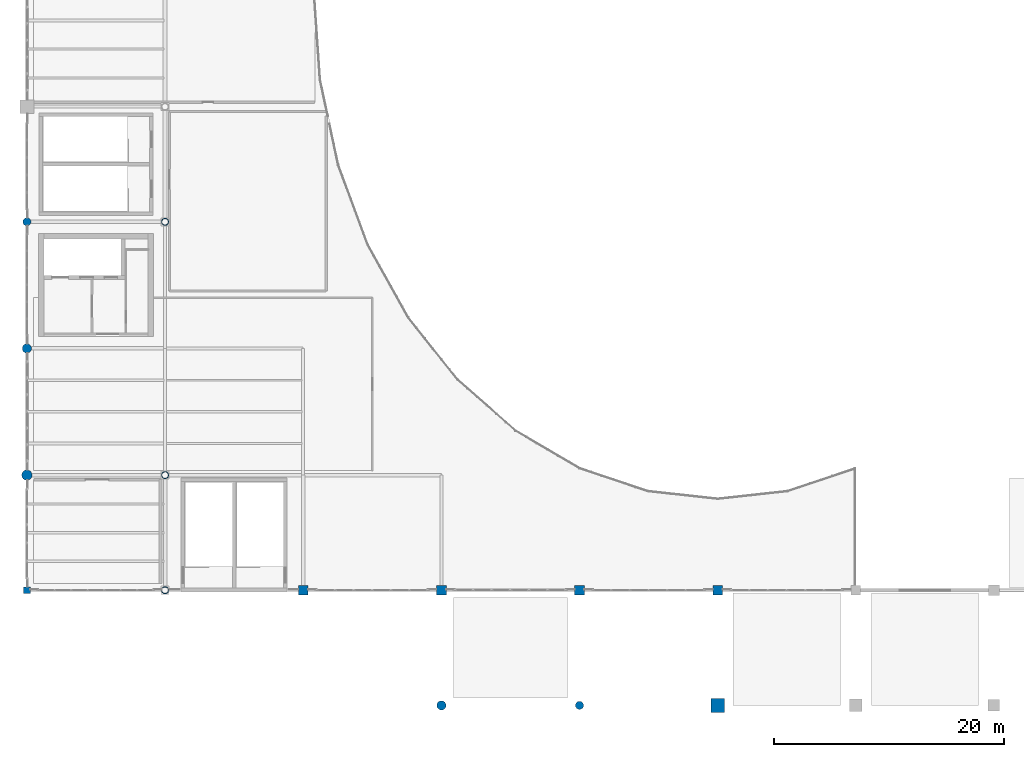
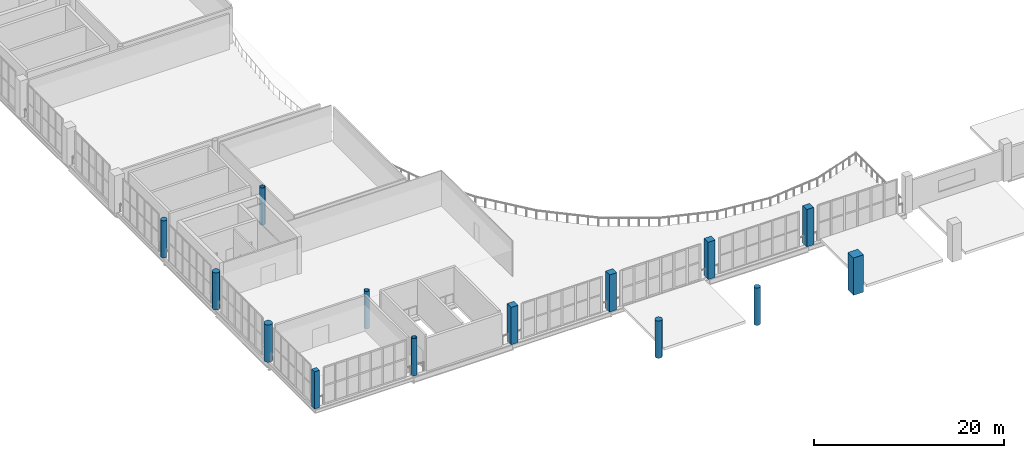
# One storey, part 1 of 49: 14 columns.
"""IFC4 building model written with IfcOpenShell, lengths in metres."""

from ifc_helpers import new_model, si_unit, direction, frame, origin, origin_2d, place, context, subcontext, project, spatial, rectangle, circle, hollow_circle, extrude, material, material_profile, profile_set, type_object, element, save


model = new_model("IFC4")

# Units and contexts
model_context = context("Model", 3, precision=1e-05, world=origin(), true_north=direction((0.0, 1.0)))
body_context = subcontext(model_context, "Body", "Model", "MODEL_VIEW")
ifc_project = project(units=[si_unit("LENGTHUNIT", "METRE"), si_unit("AREAUNIT", "SQUARE_METRE"), si_unit("VOLUMEUNIT", "CUBIC_METRE"), si_unit("PLANEANGLEUNIT", "RADIAN"), si_unit("MASSUNIT", "GRAM", prefix="KILO")], contexts=[model_context])

# Site, building, storey
site_placement = place(None, origin())
site = spatial("IfcSite", under=ifc_project, at=site_placement, CompositionType="ELEMENT")
building_placement = place(site_placement, origin())
building = spatial("IfcBuilding", under=site, at=building_placement, Name="Brinegate Civic Arena", CompositionType="ELEMENT")
storey_placement = place(building_placement, frame((0.0, 0.0, 24.60009765625)))
storey = spatial("IfcBuildingStorey", under=building, at=storey_placement, Name="L05", CompositionType="ELEMENT", Elevation=24.60009765625)

# Columns
ifc_material_1 = material(Name="Concrete C50/60", Category="concrete")
ifc_material_profile_1 = material_profile(ifc_material_1, rectangle(XDim=1.199951171875, YDim=1.199951171875, at=origin_2d()), Name="RC1200X1200")
ifc_profile_set_1 = profile_set([ifc_material_profile_1], Name="Concrete C50/60")
column_type_1 = type_object("IfcColumnType", Name="COL-CC01-1200", PredefinedType="COLUMN", material=ifc_profile_set_1)
column_1_placement = place(storey_placement, frame((108.0, 0.0, 0.0), z_axis=(0.0, 0.0, 1.0), x_axis=(1.0, 0.0, 0.0)))
element("IfcColumn", 1, at=column_1_placement, inside=storey, type_object=column_type_1, Name="Column COL-L05-10-A", PredefinedType="COLUMN", context=body_context, shape_type="SweptSolid", body=[
    extrude(rectangle(XDim=1.199951171875, YDim=1.199951171875, at=origin_2d()), origin(), (0.0, 0.0, 1.0), 4.7998046875),
])
ifc_material_profile_2 = material_profile(ifc_material_1, rectangle(XDim=0.85009765625, YDim=0.85009765625, at=origin_2d()), Name="RC850X850")
ifc_profile_set_2 = profile_set([ifc_material_profile_2], Name="Concrete C50/60")
column_type_2 = type_object("IfcColumnType", Name="COL-CC06-850", PredefinedType="COLUMN", material=ifc_profile_set_2)
for number, where, z_axis, x_axis, name in (
    (2, (72.0, 10.0, 0.0), (0.0, 0.0, 1.0), (1.0, 0.0, 0.0), "Column COL-L05-7-B"),
    (3, (84.0, 10.0, 0.0), (0.0, 0.0, 1.0), (1.0, 0.0, 0.0), "Column COL-L05-8-B"),
    (4, (96.0, 10.0, 0.0), (0.0, 0.0, 1.0), (1.0, 0.0, 0.0), "Column COL-L05-9-B"),
    (5, (108.0, 10.0, 0.0), (0.0, 0.0, 1.0), (1.0, 0.0, 0.0), "Column COL-L05-10-B"),
):
    element("IfcColumn", number, at=place(storey_placement, frame(where, z_axis=z_axis, x_axis=x_axis)), inside=storey, type_object=column_type_2, Name=name, PredefinedType="COLUMN", context=body_context, shape_type="SweptSolid", body=[
        extrude(rectangle(XDim=0.85009765625, YDim=0.85009765625, at=origin_2d()), origin(), (0.0, 0.0, 1.0), 4.7998046875),
    ])
ifc_material_profile_3 = material_profile(ifc_material_1, rectangle(XDim=0.60009765625, YDim=0.60009765625, at=origin_2d()), Name="RC600X600")
ifc_profile_set_3 = profile_set([ifc_material_profile_3], Name="Concrete C50/60")
column_type_3 = type_object("IfcColumnType", Name="COL-CC11-600", PredefinedType="COLUMN", material=ifc_profile_set_3)
column_2_placement = place(storey_placement, frame((48.0, 10.0, 0.0), z_axis=(0.0, 0.0, 1.0), x_axis=(1.0, 0.0, 0.0)))
element("IfcColumn", 6, at=column_2_placement, inside=storey, type_object=column_type_3, Name="Column COL-L05-5-B", PredefinedType="COLUMN", context=body_context, shape_type="SweptSolid", body=[
    extrude(rectangle(XDim=0.60009765625, YDim=0.60009765625, at=origin_2d()), origin(), (0.0, 0.0, 1.0), 4.7998046875),
])
ifc_material_profile_4 = material_profile(ifc_material_1, circle(Radius=0.449951171875, at=origin_2d()), Name="RCD900")
ifc_profile_set_4 = profile_set([ifc_material_profile_4], Name="Concrete C50/60")
column_type_4 = type_object("IfcColumnType", Name="COL-CC12-D900", PredefinedType="COLUMN", material=ifc_profile_set_4)
column_3_placement = place(storey_placement, frame((48.0, 20.0, 0.0), z_axis=(0.0, 0.0, 1.0), x_axis=(1.0, 0.0, 0.0)))
element("IfcColumn", 7, at=column_3_placement, inside=storey, type_object=column_type_4, Name="Column COL-L05-5-C", PredefinedType="COLUMN", context=body_context, shape_type="SweptSolid", body=[
    extrude(circle(Radius=0.449951171875, at=origin_2d()), origin(), (0.0, 0.0, 1.0), 4.7998046875),
])
ifc_material_profile_5 = material_profile(ifc_material_1, circle(Radius=0.39990234375, at=origin_2d()), Name="RCD800")
ifc_profile_set_5 = profile_set([ifc_material_profile_5], Name="Concrete C50/60")
column_type_5 = type_object("IfcColumnType", Name="COL-CC13-D800", PredefinedType="COLUMN", material=ifc_profile_set_5)
for number, where, z_axis, x_axis, name in (
    (8, (48.0, 31.0, 0.0), (0.0, 0.0, 1.0), (1.0, 0.0, 0.0), "Column COL-L05-5-D"),
    (9, (84.0, 0.0, 0.0), (0.0, 0.0, 1.0), (1.0, 0.0, 0.0), "Column COL-L05-8-A"),
):
    element("IfcColumn", number, at=place(storey_placement, frame(where, z_axis=z_axis, x_axis=x_axis)), inside=storey, type_object=column_type_5, Name=name, PredefinedType="COLUMN", context=body_context, shape_type="SweptSolid", body=[
        extrude(circle(Radius=0.39990234375, at=origin_2d()), origin(), (0.0, 0.0, 1.0), 4.7998046875),
    ])
ifc_material_profile_6 = material_profile(ifc_material_1, circle(Radius=0.35009765625, at=origin_2d()), Name="RCD700")
ifc_profile_set_6 = profile_set([ifc_material_profile_6], Name="Concrete C50/60")
column_type_6 = type_object("IfcColumnType", Name="COL-CC14-D700", PredefinedType="COLUMN", material=ifc_profile_set_6)
for number, where, z_axis, x_axis, name in (
    (10, (48.0, 42.0, 0.0), (0.0, 0.0, 1.0), (1.0, 0.0, 0.0), "Column COL-L05-5-E"),
    (11, (96.0, 0.0, 0.0), (0.0, 0.0, 1.0), (1.0, 0.0, 0.0), "Column COL-L05-9-A"),
):
    element("IfcColumn", number, at=place(storey_placement, frame(where, z_axis=z_axis, x_axis=x_axis)), inside=storey, type_object=column_type_6, Name=name, PredefinedType="COLUMN", context=body_context, shape_type="SweptSolid", body=[
        extrude(circle(Radius=0.35009765625, at=origin_2d()), origin(), (0.0, 0.0, 1.0), 4.7998046875),
    ])
ifc_material_2 = material(Name="Steel S355", Category="steel")
ifc_material_profile_7 = material_profile(ifc_material_2, hollow_circle(Radius=0.304931640625, WallThickness=0.02490234375, at=origin_2d()), Name="CHS610X25")
ifc_profile_set_7 = profile_set([ifc_material_profile_7], Name="Steel S355")
column_type_7 = type_object("IfcColumnType", Name="COL-SC05-CHS610", PredefinedType="COLUMN", material=ifc_profile_set_7)
for number, where, z_axis, x_axis, name in (
    (12, (60.0, 10.0, 0.0), (0.0, 0.0, 1.0), (1.0, 0.0, 0.0), "Space Frame West Drum Column W-01-L05"),
    (13, (60.0, 20.0, 0.0), (0.0, 0.0, 1.0), (1.0, 0.0, 0.0), "Space Frame West Drum Column W-02-L05"),
    (14, (60.0, 42.0, 0.0), (0.0, 0.0, 1.0), (1.0, 0.0, 0.0), "Space Frame West Drum Column W-03-L05"),
):
    element("IfcColumn", number, at=place(storey_placement, frame(where, z_axis=z_axis, x_axis=x_axis)), inside=storey, type_object=column_type_7, Name=name, PredefinedType="COLUMN", context=body_context, shape_type="SweptSolid", body=[
        extrude(hollow_circle(Radius=0.304931640625, WallThickness=0.02490234375, at=origin_2d()), origin(), (0.0, 0.0, 1.0), 4.7998046875),
    ])

save(model, "model.ifc")
